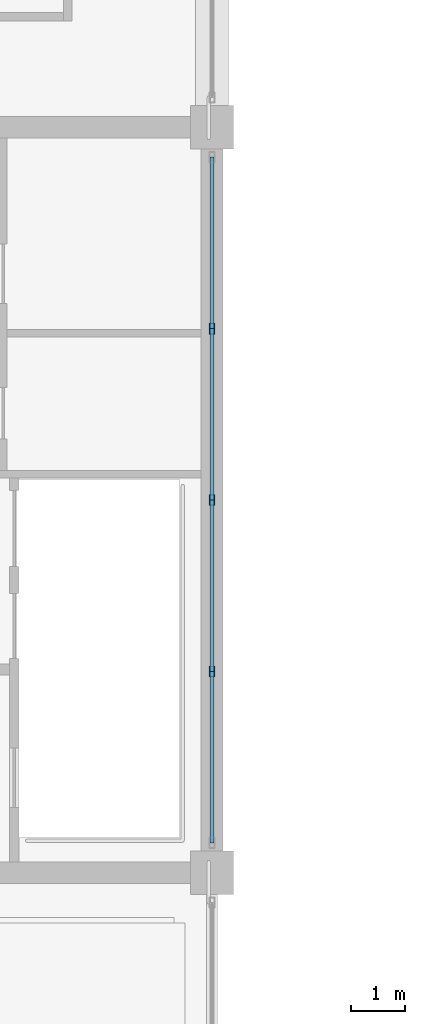
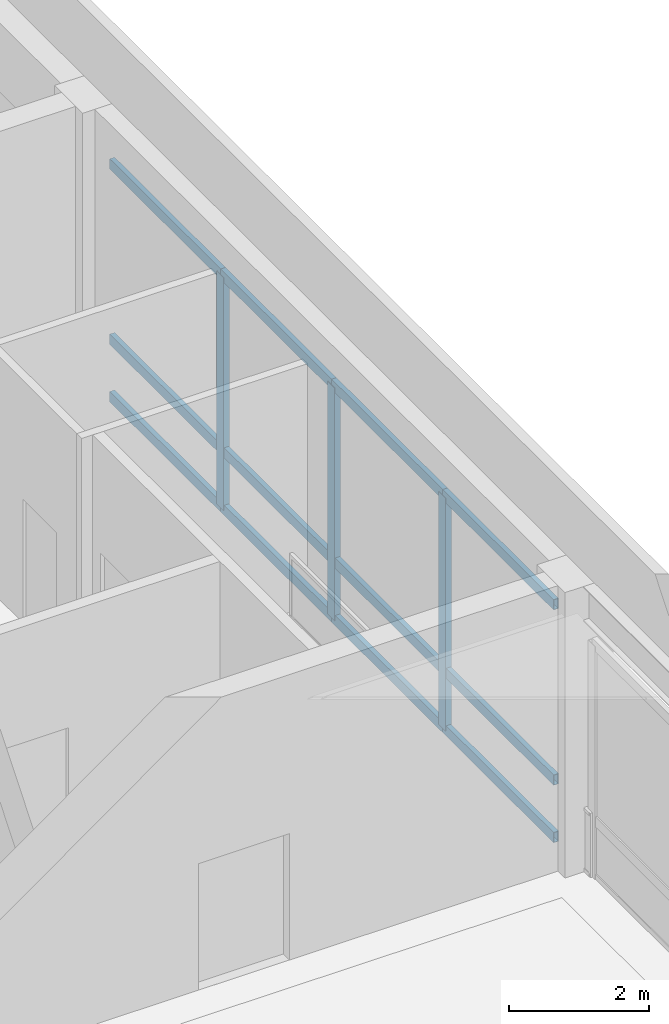
# One storey, part 18 of 113: 15 members, 1 element without a shape of its own.
"""IFC4 building model written with IfcOpenShell, lengths in metres."""

from ifc_helpers import new_model, si_unit, direction, frame, origin, origin_2d, place, context, subcontext, project, spatial, hollow_rectangle, extrude, material, material_profile, profile_set, type_object, element, aggregate, save


model = new_model("IFC4")

# Units and contexts
model_context = context("Model", 3, precision=1e-05, world=origin(), true_north=direction((0.0, 1.0)))
body_context = subcontext(model_context, "Body", "Model", "MODEL_VIEW")
ifc_project = project(units=[si_unit("LENGTHUNIT", "METRE"), si_unit("AREAUNIT", "SQUARE_METRE"), si_unit("VOLUMEUNIT", "CUBIC_METRE"), si_unit("PLANEANGLEUNIT", "RADIAN"), si_unit("MASSUNIT", "GRAM", prefix="KILO")], contexts=[model_context])

# Site, building, storey
site_placement = place(None, origin())
site = spatial("IfcSite", under=ifc_project, at=site_placement, CompositionType="ELEMENT")
building_placement = place(site_placement, origin())
building = spatial("IfcBuilding", under=site, at=building_placement, Name="Linyun Crest Stadium", CompositionType="ELEMENT")
storey_placement = place(building_placement, frame((0.0, 0.0, 26.39990234375)))
storey = spatial("IfcBuildingStorey", under=building, at=storey_placement, Name="L06", CompositionType="ELEMENT", Elevation=26.39990234375)

# Curtain wall, members
ifc_material_1 = material(Name="Verdigris steel and low-E curtain wall assembly", Category="steel")
curtain_wall_type = type_object("IfcCurtainWallType", Name="MCW06", PredefinedType="NOTDEFINED", material=ifc_material_1)
curtain_wall_placement = place(storey_placement, origin())
curtain_wall = element("IfcCurtainWall", 1, at=curtain_wall_placement, inside=storey, type_object=curtain_wall_type, Name="CWR-104", PredefinedType="NOTDEFINED")
ifc_material_2 = material(Name="Verdigris painted steel Q355C mullion", Category="steel")
ifc_material_profile_1 = material_profile(ifc_material_2, hollow_rectangle(XDim=0.10009765625, YDim=0.199951171875, WallThickness=0.008056640625, at=origin_2d()), Name="RHS 200x100x8")
ifc_profile_set_1 = profile_set([ifc_material_profile_1], Name="Verdigris painted steel Q355C mullion")
member_type_1 = type_object("IfcMemberType", Name="ML03", PredefinedType="MULLION", material=ifc_profile_set_1)
member_1_placement = place(storey_placement, frame((-70.0, 5.8369140625, 0.0), z_axis=(0.0, 0.0, 1.0), x_axis=(-1.0, 0.0, 0.0)))
member_1 = element("IfcMember", 2, at=member_1_placement, type_object=member_type_1, Name="CWR-104 mullion 2", PredefinedType="MULLION", context=body_context, shape_type="SweptSolid", body=[
    extrude(hollow_rectangle(XDim=0.10009765625, YDim=0.199951171875, WallThickness=0.008056640625, at=origin_2d()), origin(), (0.0, 0.0, 1.0), 4.050048828125),
])
member_2_placement = place(storey_placement, frame((-70.0, 9.0, 0.0), z_axis=(0.0, 0.0, 1.0), x_axis=(-1.0, 0.0, 0.0)))
member_2 = element("IfcMember", 3, at=member_2_placement, type_object=member_type_1, Name="CWR-104 mullion 3", PredefinedType="MULLION", context=body_context, shape_type="SweptSolid", body=[
    extrude(hollow_rectangle(XDim=0.10009765625, YDim=0.199951171875, WallThickness=0.008056640625, at=origin_2d()), origin(), (0.0, 0.0, 1.0), 4.050048828125),
])
member_3_placement = place(storey_placement, frame((-70.0, 12.162109375, 0.0), z_axis=(0.0, 0.0, 1.0), x_axis=(-1.0, 0.0, 0.0)))
member_3 = element("IfcMember", 4, at=member_3_placement, type_object=member_type_1, Name="CWR-104 mullion 4", PredefinedType="MULLION", context=body_context, shape_type="SweptSolid", body=[
    extrude(hollow_rectangle(XDim=0.10009765625, YDim=0.199951171875, WallThickness=0.008056640625, at=origin_2d()), origin(), (0.0, 0.0, 1.0), 4.050048828125),
])
ifc_material_3 = material(Name="Verdigris painted steel Q355B transom", Category="steel")
ifc_material_profile_2 = material_profile(ifc_material_3, hollow_rectangle(XDim=0.080078125, YDim=0.179931640625, WallThickness=0.006103515625, at=origin_2d()), Name="RHS 180x80x6")
ifc_profile_set_2 = profile_set([ifc_material_profile_2], Name="Verdigris painted steel Q355B transom")
member_type_2 = type_object("IfcMemberType", Name="TR02", PredefinedType="USERDEFINED", material=ifc_profile_set_2)
member_4_placement = place(storey_placement, frame((-70.0, 2.675048828125, 0.0), z_axis=(0.0, 1.0, 0.0), x_axis=(-1.0, 0.0, 0.0)))
member_4 = element("IfcMember", 5, at=member_4_placement, type_object=member_type_2, Name="CWR-104 transom 1.1", ObjectType="TRANSOM", PredefinedType="USERDEFINED", context=body_context, shape_type="SweptSolid", body=[
    extrude(hollow_rectangle(XDim=0.080078125, YDim=0.179931640625, WallThickness=0.006103515625, at=origin_2d()), origin(), (0.0, 0.0, 1.0), 3.161865234375),
])
member_5_placement = place(storey_placement, frame((-70.0, 2.675048828125, 1.0), z_axis=(0.0, 1.0, 0.0), x_axis=(-1.0, 0.0, 0.0)))
member_5 = element("IfcMember", 6, at=member_5_placement, type_object=member_type_2, Name="CWR-104 transom 1.2", ObjectType="TRANSOM", PredefinedType="USERDEFINED", context=body_context, shape_type="SweptSolid", body=[
    extrude(hollow_rectangle(XDim=0.080078125, YDim=0.179931640625, WallThickness=0.006103515625, at=origin_2d()), origin(), (0.0, 0.0, 1.0), 3.161865234375),
])
member_6_placement = place(storey_placement, frame((-70.0, 2.675048828125, 4.050048828125), z_axis=(0.0, 1.0, 0.0), x_axis=(-1.0, 0.0, 0.0)))
member_6 = element("IfcMember", 7, at=member_6_placement, type_object=member_type_2, Name="CWR-104 transom 1.3", ObjectType="TRANSOM", PredefinedType="USERDEFINED", context=body_context, shape_type="SweptSolid", body=[
    extrude(hollow_rectangle(XDim=0.080078125, YDim=0.179931640625, WallThickness=0.006103515625, at=origin_2d()), origin(), (0.0, 0.0, 1.0), 3.161865234375),
])
member_7_placement = place(storey_placement, frame((-70.0, 5.8369140625, 0.0), z_axis=(0.0, 1.0, 0.0), x_axis=(-1.0, 0.0, 0.0)))
member_7 = element("IfcMember", 8, at=member_7_placement, type_object=member_type_2, Name="CWR-104 transom 2.1", ObjectType="TRANSOM", PredefinedType="USERDEFINED", context=body_context, shape_type="SweptSolid", body=[
    extrude(hollow_rectangle(XDim=0.080078125, YDim=0.179931640625, WallThickness=0.006103515625, at=origin_2d()), origin(), (0.0, 0.0, 1.0), 3.1630859375),
])
member_8_placement = place(storey_placement, frame((-70.0, 5.8369140625, 1.0), z_axis=(0.0, 1.0, 0.0), x_axis=(-1.0, 0.0, 0.0)))
member_8 = element("IfcMember", 9, at=member_8_placement, type_object=member_type_2, Name="CWR-104 transom 2.2", ObjectType="TRANSOM", PredefinedType="USERDEFINED", context=body_context, shape_type="SweptSolid", body=[
    extrude(hollow_rectangle(XDim=0.080078125, YDim=0.179931640625, WallThickness=0.006103515625, at=origin_2d()), origin(), (0.0, 0.0, 1.0), 3.1630859375),
])
member_9_placement = place(storey_placement, frame((-70.0, 5.8369140625, 4.050048828125), z_axis=(0.0, 1.0, 0.0), x_axis=(-1.0, 0.0, 0.0)))
member_9 = element("IfcMember", 10, at=member_9_placement, type_object=member_type_2, Name="CWR-104 transom 2.3", ObjectType="TRANSOM", PredefinedType="USERDEFINED", context=body_context, shape_type="SweptSolid", body=[
    extrude(hollow_rectangle(XDim=0.080078125, YDim=0.179931640625, WallThickness=0.006103515625, at=origin_2d()), origin(), (0.0, 0.0, 1.0), 3.1630859375),
])
member_10_placement = place(storey_placement, frame((-70.0, 9.0, 0.0), z_axis=(0.0, 1.0, 0.0), x_axis=(-1.0, 0.0, 0.0)))
member_10 = element("IfcMember", 11, at=member_10_placement, type_object=member_type_2, Name="CWR-104 transom 3.1", ObjectType="TRANSOM", PredefinedType="USERDEFINED", context=body_context, shape_type="SweptSolid", body=[
    extrude(hollow_rectangle(XDim=0.080078125, YDim=0.179931640625, WallThickness=0.006103515625, at=origin_2d()), origin(), (0.0, 0.0, 1.0), 3.162109375),
])
member_11_placement = place(storey_placement, frame((-70.0, 9.0, 1.0), z_axis=(0.0, 1.0, 0.0), x_axis=(-1.0, 0.0, 0.0)))
member_11 = element("IfcMember", 12, at=member_11_placement, type_object=member_type_2, Name="CWR-104 transom 3.2", ObjectType="TRANSOM", PredefinedType="USERDEFINED", context=body_context, shape_type="SweptSolid", body=[
    extrude(hollow_rectangle(XDim=0.080078125, YDim=0.179931640625, WallThickness=0.006103515625, at=origin_2d()), origin(), (0.0, 0.0, 1.0), 3.162109375),
])
member_12_placement = place(storey_placement, frame((-70.0, 9.0, 4.050048828125), z_axis=(0.0, 1.0, 0.0), x_axis=(-1.0, 0.0, 0.0)))
member_12 = element("IfcMember", 13, at=member_12_placement, type_object=member_type_2, Name="CWR-104 transom 3.3", ObjectType="TRANSOM", PredefinedType="USERDEFINED", context=body_context, shape_type="SweptSolid", body=[
    extrude(hollow_rectangle(XDim=0.080078125, YDim=0.179931640625, WallThickness=0.006103515625, at=origin_2d()), origin(), (0.0, 0.0, 1.0), 3.162109375),
])
member_13_placement = place(storey_placement, frame((-70.0, 12.162109375, 0.0), z_axis=(0.0, 1.0, 0.0), x_axis=(-1.0, 0.0, 0.0)))
member_13 = element("IfcMember", 14, at=member_13_placement, type_object=member_type_2, Name="CWR-104 transom 4.1", ObjectType="TRANSOM", PredefinedType="USERDEFINED", context=body_context, shape_type="SweptSolid", body=[
    extrude(hollow_rectangle(XDim=0.080078125, YDim=0.179931640625, WallThickness=0.006103515625, at=origin_2d()), origin(), (0.0, 0.0, 1.0), 3.162841796875),
])
member_14_placement = place(storey_placement, frame((-70.0, 12.162109375, 1.0), z_axis=(0.0, 1.0, 0.0), x_axis=(-1.0, 0.0, 0.0)))
member_14 = element("IfcMember", 15, at=member_14_placement, type_object=member_type_2, Name="CWR-104 transom 4.2", ObjectType="TRANSOM", PredefinedType="USERDEFINED", context=body_context, shape_type="SweptSolid", body=[
    extrude(hollow_rectangle(XDim=0.080078125, YDim=0.179931640625, WallThickness=0.006103515625, at=origin_2d()), origin(), (0.0, 0.0, 1.0), 3.162841796875),
])
member_15_placement = place(storey_placement, frame((-70.0, 12.162109375, 4.050048828125), z_axis=(0.0, 1.0, 0.0), x_axis=(-1.0, 0.0, 0.0)))
member_15 = element("IfcMember", 16, at=member_15_placement, type_object=member_type_2, Name="CWR-104 transom 4.3", ObjectType="TRANSOM", PredefinedType="USERDEFINED", context=body_context, shape_type="SweptSolid", body=[
    extrude(hollow_rectangle(XDim=0.080078125, YDim=0.179931640625, WallThickness=0.006103515625, at=origin_2d()), origin(), (0.0, 0.0, 1.0), 3.162841796875),
])
aggregate(curtain_wall, [member_1, member_2, member_3, member_4, member_5, member_6, member_7, member_8, member_9, member_10, member_11, member_12, member_13, member_14, member_15])

save(model, "model.ifc")
